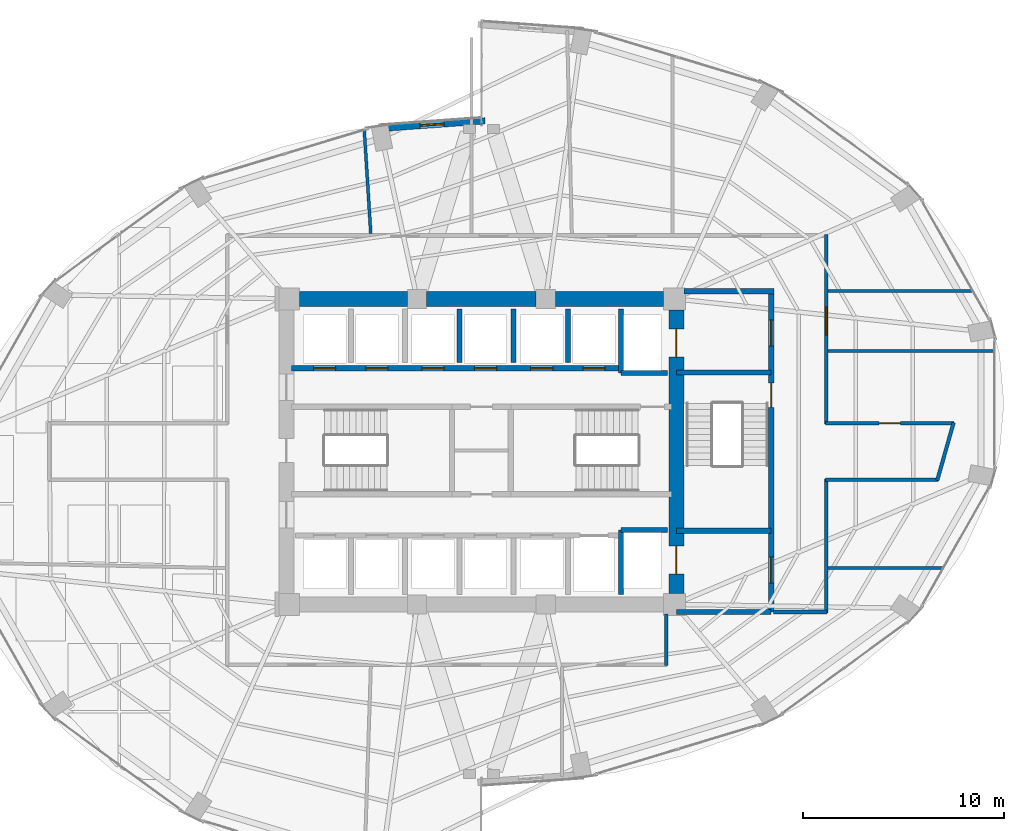
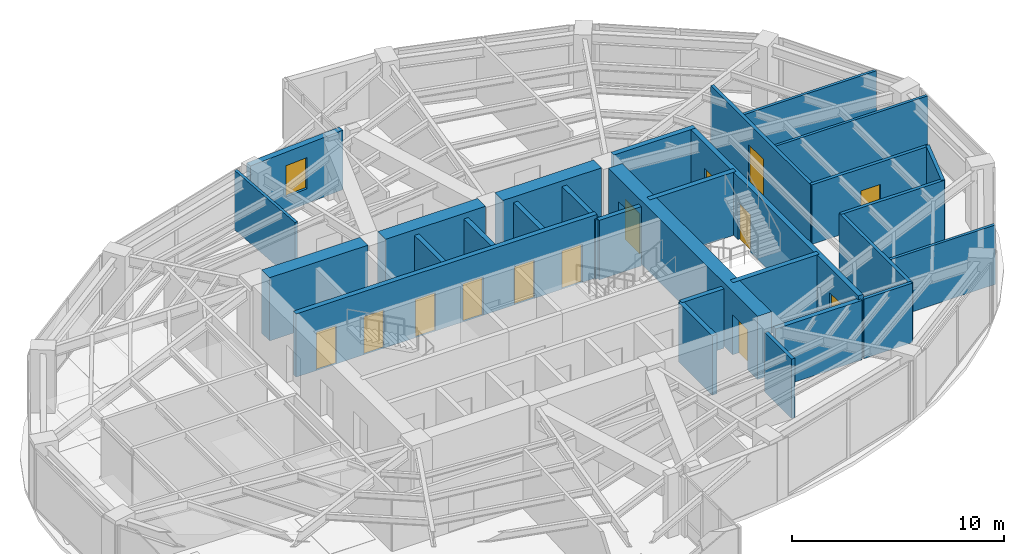
# One storey, part 21 of 24: 29 walls, 13 doors, 1 window, 14 openings.
"""IFC4 building model written with IfcOpenShell, lengths in metres."""

from ifc_helpers import new_model, si_unit, direction, frame, frame_2d, origin, place, context, subcontext, project, spatial, rectangle, extrude, material, layer, layer_set, type_object, element, fill, save


model = new_model("IFC4")

# Units and contexts
model_context = context("Model", 3, precision=1e-05, world=origin(), true_north=direction((0.0, 1.0)))
body_context = subcontext(model_context, "Body", "Model", "MODEL_VIEW")
ifc_project = project(units=[si_unit("LENGTHUNIT", "METRE"), si_unit("AREAUNIT", "SQUARE_METRE"), si_unit("VOLUMEUNIT", "CUBIC_METRE"), si_unit("PLANEANGLEUNIT", "RADIAN"), si_unit("MASSUNIT", "GRAM", prefix="KILO")], contexts=[model_context])

# Site, building, storey
site_placement = place(None, origin())
site = spatial("IfcSite", under=ifc_project, at=site_placement, CompositionType="ELEMENT")
building_placement = place(site_placement, origin())
building = spatial("IfcBuilding", under=site, at=building_placement, Name="Lazwardi Medical Tower", CompositionType="ELEMENT")
storey_placement = place(building_placement, frame((0.0, 0.0, 103.632080078125)))
storey = spatial("IfcBuildingStorey", under=building, at=storey_placement, Name="L26", CompositionType="ELEMENT", Elevation=103.632080078125)

# Wall, opening, door
ifc_material_1 = material(Name="Fire-rated gypsum board on steel stud", Category="steel")
ifc_layer_1 = layer(ifc_material_1, 0.179931640625)
ifc_layer_set_1 = layer_set([ifc_layer_1], Name="Fire-rated gypsum board on steel stud")
wall_type_1 = type_object("IfcWallType", Name="WL-COR-180", PredefinedType="PARTITIONING", material=ifc_layer_set_1)
wall_1_placement = place(storey_placement, frame((53.14990234375, 38.7900390625, 0.0), z_axis=(0.0, 0.0, 1.0), x_axis=(0.0, -1.0, 0.0)))
wall_1 = element("IfcWall", 1, at=wall_1_placement, inside=storey, type_object=wall_type_1, Name="L26 Corridor partition 5", PredefinedType="PARTITIONING", context=body_context, shape_type="SweptSolid", body=[
    extrude(rectangle(XDim=9.429931640625, YDim=0.179931640625, at=frame_2d((4.71484375, 0.0))), origin(), (0.0, 0.0, 1.0), 3.427978515625),
])
opening_1_placement = place(wall_1_placement, frame((3.590087890625, 0.0, 0.0)))
opening_1 = element("IfcOpeningElement", 2, at=opening_1_placement, cuts=wall_1, Name="Opening D-L26-011", PredefinedType="OPENING", context=body_context, shape_type="SweptSolid", body=[
    extrude(rectangle(XDim=1.39990234375, YDim=2.199951171875, at=frame_2d((0.699951171875, 1.10009765625))), frame((0.0, 0.099853515625, 0.0), z_axis=(0.0, -1.0, 0.0), x_axis=(1.0, 0.0, 0.0)), (0.0, 0.0, 1.0), 0.199951171875),
])
ifc_material_2 = material(Name="Anti-microbial laminate hospital leaf")
door_type_1 = type_object("IfcDoorType", Name="DR-BED-1400", OperationType="NOTDEFINED", PredefinedType="DOOR", material=ifc_material_2)
door_1_placement = place(opening_1_placement, origin())
door_1 = element("IfcDoor", 3, at=door_1_placement, inside=storey, type_object=door_type_1, Name="L26 Patient Day Lounge Door 05", OperationType="SINGLE_SWING_LEFT", OverallHeight=2.199951171875, OverallWidth=1.39990234375, PredefinedType="DOOR", context=body_context, shape_type="SweptSolid", body=[
    extrude(rectangle(XDim=1.39990234375, YDim=2.199951171875, at=frame_2d((0.699951171875, 1.10009765625))), frame((0.0, 0.02490234375, 0.0), z_axis=(0.0, -1.0, 0.0), x_axis=(1.0, 0.0, 0.0)), (0.0, 0.0, 1.0), 0.050048828125),
])
fill(opening_1, door_1)

wall_2_placement = place(storey_placement, frame((53.110107421875, 29.39990234375, 0.0), z_axis=(0.0, 0.0, 1.0), x_axis=(1.0, 0.0, 0.0)))
wall_2 = element("IfcWall", 4, at=wall_2_placement, inside=storey, type_object=wall_type_1, Name="L26 Corridor partition 6", PredefinedType="PARTITIONING", context=body_context, shape_type="SweptSolid", body=[
    extrude(rectangle(XDim=6.41259765625, YDim=0.179931640625, at=frame_2d((3.206298828125, 0.0))), origin(), (0.0, 0.0, 1.0), 3.427978515625),
])
opening_2_placement = place(wall_2_placement, frame((2.681396484375, 0.0, 0.0)))
opening_2 = element("IfcOpeningElement", 5, at=opening_2_placement, cuts=wall_2, Name="Opening D-L26-010", PredefinedType="OPENING", context=body_context, shape_type="SweptSolid", body=[
    extrude(rectangle(XDim=1.050048828125, YDim=2.14990234375, at=frame_2d((0.52490234375, 1.074951171875))), frame((0.0, 0.099853515625, 0.0), z_axis=(0.0, -1.0, 0.0), x_axis=(1.0, 0.0, 0.0)), (0.0, 0.0, 1.0), 0.199951171875),
])
door_type_2 = type_object("IfcDoorType", Name="DR-CLN-1050", OperationType="NOTDEFINED", PredefinedType="DOOR", material=ifc_material_2)
door_2_placement = place(opening_2_placement, origin())
door_2 = element("IfcDoor", 6, at=door_2_placement, inside=storey, type_object=door_type_2, Name="L26 Outpatient Clinic Door 04", OperationType="SINGLE_SWING_RIGHT", OverallHeight=2.14990234375, OverallWidth=1.050048828125, PredefinedType="DOOR", context=body_context, shape_type="SweptSolid", body=[
    extrude(rectangle(XDim=1.050048828125, YDim=2.14990234375, at=frame_2d((0.52490234375, 1.074951171875))), frame((0.0, 0.02490234375, 0.0), z_axis=(0.0, -1.0, 0.0), x_axis=(1.0, 0.0, 0.0)), (0.0, 0.0, 1.0), 0.050048828125),
])
fill(opening_2, door_2)

# Walls
wall_3_placement = place(storey_placement, frame((59.49365234375, 29.4384765625, 0.0), z_axis=(0.0, 0.0, 1.0), x_axis=(-0.273222154729, -0.961950962453, 0.0)))
element("IfcWall", 7, at=wall_3_placement, inside=storey, type_object=wall_type_1, Name="L26 Corridor partition 7", PredefinedType="PARTITIONING", context=body_context, shape_type="SweptSolid", body=[
    extrude(rectangle(XDim=2.99072265625, YDim=0.179931640625, at=frame_2d((1.495361328125, 0.0))), origin(), (0.0, 0.0, 1.0), 3.427978515625),
])
wall_4_placement = place(storey_placement, frame((58.727294921875, 26.60009765625, 0.0), z_axis=(0.0, 0.0, 1.0), x_axis=(-1.0, 0.0, 0.0)))
element("IfcWall", 8, at=wall_4_placement, inside=storey, type_object=wall_type_1, Name="L26 Corridor partition 8", PredefinedType="PARTITIONING", context=body_context, shape_type="SweptSolid", body=[
    extrude(rectangle(XDim=5.6171875, YDim=0.179931640625, at=frame_2d((2.80859375, 0.0))), origin(), (0.0, 0.0, 1.0), 3.427978515625),
])
wall_5_placement = place(storey_placement, frame((53.14990234375, 26.639892578125, 0.0), z_axis=(0.0, 0.0, 1.0), x_axis=(0.0, -1.0, 0.0)))
element("IfcWall", 9, at=wall_5_placement, inside=storey, type_object=wall_type_1, Name="L26 Corridor partition 9", PredefinedType="PARTITIONING", context=body_context, shape_type="SweptSolid", body=[
    extrude(rectangle(XDim=6.659912109375, YDim=0.179931640625, at=frame_2d((3.330078125, 0.0))), origin(), (0.0, 0.0, 1.0), 3.427978515625),
])
wall_6_placement = place(storey_placement, frame((53.18994140625, 20.02001953125, 0.0), z_axis=(0.0, 0.0, 1.0), x_axis=(-1.0, 0.0, 0.0)))
element("IfcWall", 10, at=wall_6_placement, inside=storey, type_object=wall_type_1, Name="L26 Corridor partition 10", PredefinedType="PARTITIONING", context=body_context, shape_type="SweptSolid", body=[
    extrude(rectangle(XDim=2.64990234375, YDim=0.179931640625, at=frame_2d((1.324951171875, 0.0))), origin(), (0.0, 0.0, 1.0), 3.427978515625),
])
wall_7_placement = place(storey_placement, frame((45.199951171875, 19.909912109375, 0.0), z_axis=(0.0, 0.0, 1.0), x_axis=(0.0, -1.0, 0.0)))
element("IfcWall", 11, at=wall_7_placement, inside=storey, type_object=wall_type_1, Name="L26 Corridor partition 13", PredefinedType="PARTITIONING", context=body_context, shape_type="SweptSolid", body=[
    extrude(rectangle(XDim=2.5498046875, YDim=0.179931640625, at=frame_2d((1.27490234375, 0.0))), origin(), (0.0, 0.0, 1.0), 3.427978515625),
])

# Wall, openings, doors
ifc_material_3 = material(Name="Concrete C70/85", Category="concrete")
ifc_layer_2 = layer(ifc_material_3, 0.75)
ifc_layer_set_2 = layer_set([ifc_layer_2], Name="Concrete C70/85")
wall_type_2 = type_object("IfcWallType", Name="WL-CORE-750", PredefinedType="SHEAR", material=ifc_layer_set_2)
wall_8_placement = place(storey_placement, frame((45.699951171875, 20.949951171875, 0.0), z_axis=(0.0, 0.0, 1.0), x_axis=(0.0, 1.0, 0.0)))
wall_8 = element("IfcWall", 12, at=wall_8_placement, inside=storey, type_object=wall_type_2, Name="Core wall CW-S2 east L26", PredefinedType="SHEAR", context=body_context, shape_type="SweptSolid", body=[
    extrude(rectangle(XDim=14.10009765625, YDim=0.75, at=frame_2d((7.050048828125, 0.0))), origin(), (0.0, 0.0, 1.0), 3.64794921875),
])
opening_3_placement = place(wall_8_placement, frame((11.75, 0.0, 0.0)))
opening_3 = element("IfcOpeningElement", 13, at=opening_3_placement, cuts=wall_8, Name="Opening LD-L26-001", PredefinedType="OPENING", context=body_context, shape_type="SweptSolid", body=[
    extrude(rectangle(XDim=1.39990234375, YDim=2.300048828125, at=frame_2d((0.699951171875, 1.14990234375))), frame((0.0, 0.385009765625, 0.0), z_axis=(0.0, -1.0, 0.0), x_axis=(1.0, 0.0, 0.0)), (0.0, 0.0, 1.0), 0.77001953125),
])
opening_4_placement = place(wall_8_placement, frame((0.949951171875, 0.0, 0.0)))
opening_4 = element("IfcOpeningElement", 14, at=opening_4_placement, cuts=wall_8, Name="Opening LD-L26-002", PredefinedType="OPENING", context=body_context, shape_type="SweptSolid", body=[
    extrude(rectangle(XDim=1.39990234375, YDim=2.300048828125, at=frame_2d((0.699951171875, 1.14990234375))), frame((0.0, 0.385009765625, 0.0), z_axis=(0.0, -1.0, 0.0), x_axis=(1.0, 0.0, 0.0)), (0.0, 0.0, 1.0), 0.77001953125),
])
ifc_material_4 = material(Name="Brushed stainless steel bed-lift landing door", Category="steel")
door_type_3 = type_object("IfcDoorType", Name="DR-LFT-1400", OperationType="NOTDEFINED", PredefinedType="DOOR", material=ifc_material_4)
door_3_placement = place(opening_3_placement, origin())
door_3 = element("IfcDoor", 15, at=door_3_placement, inside=storey, type_object=door_type_3, Name="L26 Lift Landing Door FL-01", OperationType="SLIDING_TO_LEFT", OverallHeight=2.300048828125, OverallWidth=1.39990234375, PredefinedType="DOOR", context=body_context, shape_type="SweptSolid", body=[
    extrude(rectangle(XDim=1.39990234375, YDim=2.300048828125, at=frame_2d((0.699951171875, 1.14990234375))), frame((0.0, 0.02490234375, 0.0), z_axis=(0.0, -1.0, 0.0), x_axis=(1.0, 0.0, 0.0)), (0.0, 0.0, 1.0), 0.050048828125),
])
fill(opening_3, door_3)
door_4_placement = place(opening_4_placement, origin())
door_4 = element("IfcDoor", 16, at=door_4_placement, inside=storey, type_object=door_type_3, Name="L26 Lift Landing Door FL-02", OperationType="SLIDING_TO_LEFT", OverallHeight=2.300048828125, OverallWidth=1.39990234375, PredefinedType="DOOR", context=body_context, shape_type="SweptSolid", body=[
    extrude(rectangle(XDim=1.39990234375, YDim=2.300048828125, at=frame_2d((0.699951171875, 1.14990234375))), frame((0.0, 0.02490234375, 0.0), z_axis=(0.0, -1.0, 0.0), x_axis=(1.0, 0.0, 0.0)), (0.0, 0.0, 1.0), 0.050048828125),
])
fill(opening_4, door_4)

# Walls
wall_9_placement = place(storey_placement, frame((26.949951171875, 35.60009765625, 0.0), z_axis=(0.0, 0.0, 1.0), x_axis=(1.0, 0.0, 0.0)))
element("IfcWall", 17, at=wall_9_placement, inside=storey, type_object=wall_type_2, Name="Core wall CW-S2 N1 L26", PredefinedType="SHEAR", context=body_context, shape_type="SweptSolid", body=[
    extrude(rectangle(XDim=5.375, YDim=0.75, at=frame_2d((2.6875, 0.0))), origin(), (0.0, 0.0, 1.0), 3.64794921875),
])
wall_10_placement = place(storey_placement, frame((33.27490234375, 35.60009765625, 0.0), z_axis=(0.0, 0.0, 1.0), x_axis=(1.0, 0.0, 0.0)))
element("IfcWall", 18, at=wall_10_placement, inside=storey, type_object=wall_type_2, Name="Core wall CW-S2 N2 L26", PredefinedType="SHEAR", context=body_context, shape_type="SweptSolid", body=[
    extrude(rectangle(XDim=5.4501953125, YDim=0.75, at=frame_2d((2.72509765625, 0.0))), origin(), (0.0, 0.0, 1.0), 3.64794921875),
])
wall_11_placement = place(storey_placement, frame((39.675048828125, 35.60009765625, 0.0), z_axis=(0.0, 0.0, 1.0), x_axis=(1.0, 0.0, 0.0)))
element("IfcWall", 19, at=wall_11_placement, inside=storey, type_object=wall_type_2, Name="Core wall CW-S2 N3 L26", PredefinedType="SHEAR", context=body_context, shape_type="SweptSolid", body=[
    extrude(rectangle(XDim=5.375, YDim=0.75, at=frame_2d((2.6875, 0.0))), origin(), (0.0, 0.0, 1.0), 3.64794921875),
])

# Wall, opening, window
ifc_material_5 = material(Name="Precast concrete C45/55", Category="concrete")
ifc_layer_3 = layer(ifc_material_5, 0.320068359375)
ifc_layer_set_3 = layer_set([ifc_layer_3], Name="Precast concrete C45/55")
wall_type_3 = type_object("IfcWallType", Name="WL-IWAN-320", PredefinedType="SOLIDWALL", material=ifc_layer_set_3)
wall_12_placement = place(storey_placement, frame((36.178955078125, 44.452880859375, 0.0), z_axis=(0.0, 0.0, 1.0), x_axis=(-0.997431890304, -0.071621394884, 0.0)))
wall_12 = element("IfcWall", 20, at=wall_12_placement, inside=storey, type_object=wall_type_3, Name="L26 Iwan Portal Return Wall NW_ret", PredefinedType="SOLIDWALL", context=body_context, shape_type="SweptSolid", body=[
    extrude(rectangle(XDim=5.28369140625, YDim=0.320068359375, at=frame_2d((2.641845703125, 0.0))), origin(), (0.0, 0.0, 1.0), 3.427978515625),
])
opening_5_placement = place(wall_12_placement, frame((2.041748046875, 0.0, 0.85009765625)))
opening_5 = element("IfcOpeningElement", 21, at=opening_5_placement, cuts=wall_12, Name="Opening WN-04", PredefinedType="OPENING", context=body_context, shape_type="SweptSolid", body=[
    extrude(rectangle(XDim=1.199951171875, YDim=1.800048828125, at=frame_2d((0.60009765625, 0.89990234375))), frame((0.0, 0.169921875, 0.0), z_axis=(0.0, -1.0, 0.0), x_axis=(1.0, 0.0, 0.0)), (0.0, 0.0, 1.0), 0.340087890625),
])
ifc_material_6 = material(Name="Low-e bronze solar control double glazing", Category="glass")
window_type = type_object("IfcWindowType", Name="WIN-DRUM-1200", PartitioningType="SINGLE_PANEL", PredefinedType="WINDOW", material=ifc_material_6)
window_placement = place(opening_5_placement, origin())
window = element("IfcWindow", 22, at=window_placement, inside=storey, type_object=window_type, Name="L26 Iwan Slot Window NW_ret", OverallHeight=1.800048828125, OverallWidth=1.199951171875, PartitioningType="SINGLE_PANEL", PredefinedType="WINDOW", context=body_context, shape_type="SweptSolid", body=[
    extrude(rectangle(XDim=1.199951171875, YDim=1.800048828125, at=frame_2d((0.60009765625, 0.89990234375))), frame((0.0, 0.030029296875, 0.0), z_axis=(0.0, -1.0, 0.0), x_axis=(1.0, 0.0, 0.0)), (0.0, 0.0, 1.0), 0.06005859375),
])
fill(opening_5, window)

# Walls
ifc_material_7 = material(Name="Autoclaved aerated concrete blockwork", Category="masonry")
ifc_layer_4 = layer(ifc_material_7, 0.25)
ifc_layer_set_4 = layer_set([ifc_layer_4], Name="Autoclaved aerated concrete blockwork")
wall_type_4 = type_object("IfcWallType", Name="WL-SHAFT-250", PredefinedType="SOLIDWALL", material=ifc_layer_set_4)
wall_13_placement = place(storey_placement, frame((42.949951171875, 31.919921875, 0.0), z_axis=(0.0, 0.0, 1.0), x_axis=(0.0, 1.0, 0.0)))
element("IfcWall", 23, at=wall_13_placement, inside=storey, type_object=wall_type_4, Name="L26 FL-01 West shaft wall", PredefinedType="SOLIDWALL", context=body_context, shape_type="SweptSolid", body=[
    extrude(rectangle(XDim=3.18017578125, YDim=0.25, at=frame_2d((1.590087890625, 0.0))), origin(), (0.0, 0.0, 1.0), 3.427978515625),
])
wall_14_placement = place(storey_placement, frame((42.949951171875, 31.919921875, 0.0), z_axis=(0.0, 0.0, 1.0), x_axis=(1.0, 0.0, 0.0)))
element("IfcWall", 24, at=wall_14_placement, inside=storey, type_object=wall_type_4, Name="L26 FL-01 South shaft wall", PredefinedType="SOLIDWALL", context=body_context, shape_type="SweptSolid", body=[
    extrude(rectangle(XDim=2.300048828125, YDim=0.25, at=frame_2d((1.14990234375, 0.0))), origin(), (0.0, 0.0, 1.0), 3.427978515625),
])
wall_15_placement = place(storey_placement, frame((42.949951171875, 20.89990234375, 0.0), z_axis=(0.0, 0.0, 1.0), x_axis=(0.0, 1.0, 0.0)))
element("IfcWall", 25, at=wall_15_placement, inside=storey, type_object=wall_type_4, Name="L26 FL-02 West shaft wall", PredefinedType="SOLIDWALL", context=body_context, shape_type="SweptSolid", body=[
    extrude(rectangle(XDim=3.2001953125, YDim=0.25, at=frame_2d((1.60009765625, 0.0))), origin(), (0.0, 0.0, 1.0), 3.427978515625),
])
wall_16_placement = place(storey_placement, frame((42.949951171875, 24.10009765625, 0.0), z_axis=(0.0, 0.0, 1.0), x_axis=(1.0, 0.0, 0.0)))
element("IfcWall", 26, at=wall_16_placement, inside=storey, type_object=wall_type_4, Name="L26 FL-02 North shaft wall", PredefinedType="SOLIDWALL", context=body_context, shape_type="SweptSolid", body=[
    extrude(rectangle(XDim=2.300048828125, YDim=0.25, at=frame_2d((1.14990234375, 0.0))), origin(), (0.0, 0.0, 1.0), 3.427978515625),
])
for number, where, z_axis, x_axis, name in (
    (27, (34.89990234375, 32.419921875, 0.0), (0.0, 0.0, 1.0), (0.0, 1.0, 0.0), "L26 North hoistway divider"),
    (28, (37.60009765625, 32.419921875, 0.0), (0.0, 0.0, 1.0), (0.0, 1.0, 0.0), "L26 North hoistway divider"),
    (29, (40.300048828125, 32.419921875, 0.0), (0.0, 0.0, 1.0), (0.0, 1.0, 0.0), "L26 North hoistway divider"),
):
    element("IfcWall", number, at=place(storey_placement, frame(where, z_axis=z_axis, x_axis=x_axis)), inside=storey, type_object=wall_type_4, Name=name, PredefinedType="SOLIDWALL", context=body_context, shape_type="SweptSolid", body=[
        extrude(rectangle(XDim=2.68017578125, YDim=0.25, at=frame_2d((1.340087890625, 0.0))), origin(), (0.0, 0.0, 1.0), 3.427978515625),
    ])
wall_17_placement = place(storey_placement, frame((45.699951171875, 20.02001953125, 0.0), z_axis=(0.0, 0.0, 1.0), x_axis=(1.0, 0.0, 0.0)))
element("IfcWall", 30, at=wall_17_placement, inside=storey, type_object=wall_type_4, Name="L26 FFL-S South wall", PredefinedType="SOLIDWALL", context=body_context, shape_type="SweptSolid", body=[
    extrude(rectangle(XDim=4.715087890625, YDim=0.25, at=frame_2d((2.357421875, 0.0))), origin(), (0.0, 0.0, 1.0), 3.427978515625),
])

# Wall, openings, doors
ifc_material_8 = material(Name="Concrete C50/60", Category="concrete")
ifc_layer_5 = layer(ifc_material_8, 0.27001953125)
ifc_layer_set_5 = layer_set([ifc_layer_5], Name="Concrete C50/60")
wall_type_5 = type_object("IfcWallType", Name="WL-STR-250", PredefinedType="SHEAR", material=ifc_layer_set_5)
wall_18_placement = place(storey_placement, frame((26.550048828125, 32.14990234375, 0.0), z_axis=(0.0, 0.0, 1.0), x_axis=(1.0, 0.0, 0.0)))
wall_18 = element("IfcWall", 31, at=wall_18_placement, inside=storey, type_object=wall_type_5, Name="L26 North lift bank shear wall SW-S1", PredefinedType="SHEAR", context=body_context, shape_type="SweptSolid", body=[
    extrude(rectangle(XDim=16.39990234375, YDim=0.27001953125, at=frame_2d((8.199951171875, 0.0))), origin(), (0.0, 0.0, 1.0), 3.64794921875),
])
opening_6_placement = place(wall_18_placement, frame((1.10009765625, 0.0, 0.0)))
opening_6 = element("IfcOpeningElement", 32, at=opening_6_placement, cuts=wall_18, Name="Opening LD-L26-004", PredefinedType="OPENING", context=body_context, shape_type="SweptSolid", body=[
    extrude(rectangle(XDim=1.10009765625, YDim=2.199951171875, at=frame_2d((0.550048828125, 1.10009765625))), frame((0.0, 0.14501953125, 0.0), z_axis=(0.0, -1.0, 0.0), x_axis=(1.0, 0.0, 0.0)), (0.0, 0.0, 1.0), 0.2900390625),
])
opening_7_placement = place(wall_18_placement, frame((3.699951171875, 0.0, 0.0)))
opening_7 = element("IfcOpeningElement", 33, at=opening_7_placement, cuts=wall_18, Name="Opening LD-L26-005", PredefinedType="OPENING", context=body_context, shape_type="SweptSolid", body=[
    extrude(rectangle(XDim=1.10009765625, YDim=2.199951171875, at=frame_2d((0.550048828125, 1.10009765625))), frame((0.0, 0.14501953125, 0.0), z_axis=(0.0, -1.0, 0.0), x_axis=(1.0, 0.0, 0.0)), (0.0, 0.0, 1.0), 0.2900390625),
])
opening_8_placement = place(wall_18_placement, frame((6.5, 0.0, 0.0)))
opening_8 = element("IfcOpeningElement", 34, at=opening_8_placement, cuts=wall_18, Name="Opening LD-L26-008", PredefinedType="OPENING", context=body_context, shape_type="SweptSolid", body=[
    extrude(rectangle(XDim=1.10009765625, YDim=2.199951171875, at=frame_2d((0.550048828125, 1.10009765625))), frame((0.0, 0.14501953125, 0.0), z_axis=(0.0, -1.0, 0.0), x_axis=(1.0, 0.0, 0.0)), (0.0, 0.0, 1.0), 0.2900390625),
])
opening_9_placement = place(wall_18_placement, frame((9.10009765625, 0.0, 0.0)))
opening_9 = element("IfcOpeningElement", 35, at=opening_9_placement, cuts=wall_18, Name="Opening LD-L26-009", PredefinedType="OPENING", context=body_context, shape_type="SweptSolid", body=[
    extrude(rectangle(XDim=1.10009765625, YDim=2.199951171875, at=frame_2d((0.550048828125, 1.10009765625))), frame((0.0, 0.14501953125, 0.0), z_axis=(0.0, -1.0, 0.0), x_axis=(1.0, 0.0, 0.0)), (0.0, 0.0, 1.0), 0.2900390625),
])
opening_10_placement = place(wall_18_placement, frame((11.89990234375, 0.0, 0.0)))
opening_10 = element("IfcOpeningElement", 36, at=opening_10_placement, cuts=wall_18, Name="Opening LD-L26-012", PredefinedType="OPENING", context=body_context, shape_type="SweptSolid", body=[
    extrude(rectangle(XDim=1.10009765625, YDim=2.199951171875, at=frame_2d((0.550048828125, 1.10009765625))), frame((0.0, 0.14501953125, 0.0), z_axis=(0.0, -1.0, 0.0), x_axis=(1.0, 0.0, 0.0)), (0.0, 0.0, 1.0), 0.2900390625),
])
opening_11_placement = place(wall_18_placement, frame((14.5, 0.0, 0.0)))
opening_11 = element("IfcOpeningElement", 37, at=opening_11_placement, cuts=wall_18, Name="Opening LD-L26-013", PredefinedType="OPENING", context=body_context, shape_type="SweptSolid", body=[
    extrude(rectangle(XDim=1.10009765625, YDim=2.199951171875, at=frame_2d((0.550048828125, 1.10009765625))), frame((0.0, 0.14501953125, 0.0), z_axis=(0.0, -1.0, 0.0), x_axis=(1.0, 0.0, 0.0)), (0.0, 0.0, 1.0), 0.2900390625),
])
ifc_material_9 = material(Name="Brushed bronze stainless steel landing door", Category="steel")
door_type_4 = type_object("IfcDoorType", Name="DR-LFT-1100", OperationType="NOTDEFINED", PredefinedType="DOOR", material=ifc_material_9)
door_5_placement = place(opening_6_placement, origin())
door_5 = element("IfcDoor", 38, at=door_5_placement, inside=storey, type_object=door_type_4, Name="L26 Lift Landing Door PL-01", OperationType="SLIDING_TO_LEFT", OverallHeight=2.199951171875, OverallWidth=1.10009765625, PredefinedType="DOOR", context=body_context, shape_type="SweptSolid", body=[
    extrude(rectangle(XDim=1.10009765625, YDim=2.199951171875, at=frame_2d((0.550048828125, 1.10009765625))), frame((0.0, 0.02490234375, 0.0), z_axis=(0.0, -1.0, 0.0), x_axis=(1.0, 0.0, 0.0)), (0.0, 0.0, 1.0), 0.050048828125),
])
fill(opening_6, door_5)
door_6_placement = place(opening_7_placement, origin())
door_6 = element("IfcDoor", 39, at=door_6_placement, inside=storey, type_object=door_type_4, Name="L26 Lift Landing Door PL-02", OperationType="SLIDING_TO_LEFT", OverallHeight=2.199951171875, OverallWidth=1.10009765625, PredefinedType="DOOR", context=body_context, shape_type="SweptSolid", body=[
    extrude(rectangle(XDim=1.10009765625, YDim=2.199951171875, at=frame_2d((0.550048828125, 1.10009765625))), frame((0.0, 0.02490234375, 0.0), z_axis=(0.0, -1.0, 0.0), x_axis=(1.0, 0.0, 0.0)), (0.0, 0.0, 1.0), 0.050048828125),
])
fill(opening_7, door_6)
door_7_placement = place(opening_8_placement, origin())
door_7 = element("IfcDoor", 40, at=door_7_placement, inside=storey, type_object=door_type_4, Name="L26 Lift Landing Door PL-05", OperationType="SLIDING_TO_LEFT", OverallHeight=2.199951171875, OverallWidth=1.10009765625, PredefinedType="DOOR", context=body_context, shape_type="SweptSolid", body=[
    extrude(rectangle(XDim=1.10009765625, YDim=2.199951171875, at=frame_2d((0.550048828125, 1.10009765625))), frame((0.0, 0.02490234375, 0.0), z_axis=(0.0, -1.0, 0.0), x_axis=(1.0, 0.0, 0.0)), (0.0, 0.0, 1.0), 0.050048828125),
])
fill(opening_8, door_7)
door_8_placement = place(opening_9_placement, origin())
door_8 = element("IfcDoor", 41, at=door_8_placement, inside=storey, type_object=door_type_4, Name="L26 Lift Landing Door PL-06", OperationType="SLIDING_TO_LEFT", OverallHeight=2.199951171875, OverallWidth=1.10009765625, PredefinedType="DOOR", context=body_context, shape_type="SweptSolid", body=[
    extrude(rectangle(XDim=1.10009765625, YDim=2.199951171875, at=frame_2d((0.550048828125, 1.10009765625))), frame((0.0, 0.02490234375, 0.0), z_axis=(0.0, -1.0, 0.0), x_axis=(1.0, 0.0, 0.0)), (0.0, 0.0, 1.0), 0.050048828125),
])
fill(opening_9, door_8)
door_9_placement = place(opening_10_placement, origin())
door_9 = element("IfcDoor", 42, at=door_9_placement, inside=storey, type_object=door_type_4, Name="L26 Lift Landing Door PL-09", OperationType="SLIDING_TO_LEFT", OverallHeight=2.199951171875, OverallWidth=1.10009765625, PredefinedType="DOOR", context=body_context, shape_type="SweptSolid", body=[
    extrude(rectangle(XDim=1.10009765625, YDim=2.199951171875, at=frame_2d((0.550048828125, 1.10009765625))), frame((0.0, 0.02490234375, 0.0), z_axis=(0.0, -1.0, 0.0), x_axis=(1.0, 0.0, 0.0)), (0.0, 0.0, 1.0), 0.050048828125),
])
fill(opening_10, door_9)
door_10_placement = place(opening_11_placement, origin())
door_10 = element("IfcDoor", 43, at=door_10_placement, inside=storey, type_object=door_type_4, Name="L26 Lift Landing Door PL-10", OperationType="SLIDING_TO_LEFT", OverallHeight=2.199951171875, OverallWidth=1.10009765625, PredefinedType="DOOR", context=body_context, shape_type="SweptSolid", body=[
    extrude(rectangle(XDim=1.10009765625, YDim=2.199951171875, at=frame_2d((0.550048828125, 1.10009765625))), frame((0.0, 0.02490234375, 0.0), z_axis=(0.0, -1.0, 0.0), x_axis=(1.0, 0.0, 0.0)), (0.0, 0.0, 1.0), 0.050048828125),
])
fill(opening_11, door_10)

wall_19_placement = place(storey_placement, frame((50.4150390625, 35.844970703125, 0.0), z_axis=(0.0, 0.0, 1.0), x_axis=(0.0, -1.0, 0.0)))
wall_19 = element("IfcWall", 44, at=wall_19_placement, inside=storey, type_object=wall_type_5, Name="L26 East ST3 & FFL shear wall SW-S1", PredefinedType="SHEAR", context=body_context, shape_type="SweptSolid", body=[
    extrude(rectangle(XDim=15.824951171875, YDim=0.27001953125, at=frame_2d((7.91259765625, 0.0))), origin(), (0.0, 0.0, 1.0), 3.64794921875),
])
opening_12_placement = place(wall_19_placement, frame((4.445068359375, 0.0, 0.0)))
opening_12 = element("IfcOpeningElement", 45, at=opening_12_placement, cuts=wall_19, Name="Opening D-L26-019", PredefinedType="OPENING", context=body_context, shape_type="SweptSolid", body=[
    extrude(rectangle(XDim=1.199951171875, YDim=2.14990234375, at=frame_2d((0.60009765625, 1.074951171875))), frame((0.0, 0.14501953125, 0.0), z_axis=(0.0, -1.0, 0.0), x_axis=(1.0, 0.0, 0.0)), (0.0, 0.0, 1.0), 0.2900390625),
])
opening_13_placement = place(wall_19_placement, frame((1.294921875, 0.0, 0.0)))
opening_13 = element("IfcOpeningElement", 46, at=opening_13_placement, cuts=wall_19, Name="Opening D-L26-003", PredefinedType="OPENING", context=body_context, shape_type="SweptSolid", body=[
    extrude(rectangle(XDim=1.300048828125, YDim=2.199951171875, at=frame_2d((0.64990234375, 1.10009765625))), frame((0.0, 0.14501953125, 0.0), z_axis=(0.0, -1.0, 0.0), x_axis=(1.0, 0.0, 0.0)), (0.0, 0.0, 1.0), 0.2900390625),
])
opening_14_placement = place(wall_19_placement, frame((13.094970703125, 0.0, 0.0)))
opening_14 = element("IfcOpeningElement", 47, at=opening_14_placement, cuts=wall_19, Name="Opening D-L26-004", PredefinedType="OPENING", context=body_context, shape_type="SweptSolid", body=[
    extrude(rectangle(XDim=1.300048828125, YDim=2.199951171875, at=frame_2d((0.64990234375, 1.10009765625))), frame((0.0, 0.14501953125, 0.0), z_axis=(0.0, -1.0, 0.0), x_axis=(1.0, 0.0, 0.0)), (0.0, 0.0, 1.0), 0.2900390625),
])
ifc_material_10 = material(Name="Fire-rated steel leaf and frame", Category="steel")
door_type_5 = type_object("IfcDoorType", Name="DR-FFL-1300", OperationType="NOTDEFINED", PredefinedType="DOOR", material=ifc_material_10)
door_11_placement = place(opening_13_placement, origin())
door_11 = element("IfcDoor", 48, at=door_11_placement, inside=storey, type_object=door_type_5, Name="L26 Fire-Fighting Lobby North Door", OperationType="SINGLE_SWING_LEFT", OverallHeight=2.199951171875, OverallWidth=1.300048828125, PredefinedType="DOOR", context=body_context, shape_type="SweptSolid", body=[
    extrude(rectangle(XDim=1.300048828125, YDim=2.199951171875, at=frame_2d((0.64990234375, 1.10009765625))), frame((0.0, 0.02490234375, 0.0), z_axis=(0.0, -1.0, 0.0), x_axis=(1.0, 0.0, 0.0)), (0.0, 0.0, 1.0), 0.050048828125),
])
fill(opening_13, door_11)
door_12_placement = place(opening_14_placement, origin())
door_12 = element("IfcDoor", 49, at=door_12_placement, inside=storey, type_object=door_type_5, Name="L26 Fire-Fighting Lobby South Door", OperationType="SINGLE_SWING_RIGHT", OverallHeight=2.199951171875, OverallWidth=1.300048828125, PredefinedType="DOOR", context=body_context, shape_type="SweptSolid", body=[
    extrude(rectangle(XDim=1.300048828125, YDim=2.199951171875, at=frame_2d((0.64990234375, 1.10009765625))), frame((0.0, 0.02490234375, 0.0), z_axis=(0.0, -1.0, 0.0), x_axis=(1.0, 0.0, 0.0)), (0.0, 0.0, 1.0), 0.050048828125),
])
fill(opening_14, door_12)
door_type_6 = type_object("IfcDoorType", Name="DR-STR-1200", OperationType="NOTDEFINED", PredefinedType="DOOR", material=ifc_material_10)
door_13_placement = place(opening_12_placement, origin())
door_13 = element("IfcDoor", 50, at=door_13_placement, inside=storey, type_object=door_type_6, Name="L26 Exit Stair ST3 Door", OperationType="SINGLE_SWING_RIGHT", OverallHeight=2.14990234375, OverallWidth=1.199951171875, PredefinedType="DOOR", context=body_context, shape_type="SweptSolid", body=[
    extrude(rectangle(XDim=1.199951171875, YDim=2.14990234375, at=frame_2d((0.60009765625, 1.074951171875))), frame((0.0, 0.02490234375, 0.0), z_axis=(0.0, -1.0, 0.0), x_axis=(1.0, 0.0, 0.0)), (0.0, 0.0, 1.0), 0.050048828125),
])
fill(opening_12, door_13)

# Walls
wall_20_placement = place(storey_placement, frame((46.074951171875, 35.97998046875, 0.0), z_axis=(0.0, 0.0, 1.0), x_axis=(1.0, 0.0, 0.0)))
element("IfcWall", 51, at=wall_20_placement, inside=storey, type_object=wall_type_5, Name="L26 FFL-N North shear wall SW-S1", PredefinedType="SHEAR", context=body_context, shape_type="SweptSolid", body=[
    extrude(rectangle(XDim=4.47509765625, YDim=0.27001953125, at=frame_2d((2.237548828125, 0.0))), origin(), (0.0, 0.0, 1.0), 3.64794921875),
])
for number, where, z_axis, x_axis, name in (
    (52, (45.699951171875, 31.93505859375, 0.0), (0.0, 0.0, 1.0), (1.0, 0.0, 0.0), "L26 ST3 North shear shaft wall SW-S1"),
    (53, (45.699951171875, 24.06494140625, 0.0), (0.0, 0.0, 1.0), (1.0, 0.0, 0.0), "L26 ST3 South shear shaft wall SW-S1"),
):
    element("IfcWall", number, at=place(storey_placement, frame(where, z_axis=z_axis, x_axis=x_axis)), inside=storey, type_object=wall_type_5, Name=name, PredefinedType="SHEAR", context=body_context, shape_type="SweptSolid", body=[
        extrude(rectangle(XDim=4.715087890625, YDim=0.27001953125, at=frame_2d((2.357421875, 0.0))), origin(), (0.0, 0.0, 1.0), 3.64794921875),
    ])
ifc_material_11 = material(Name="Acoustic gypsum board partition")
ifc_layer_6 = layer(ifc_material_11, 0.14990234375)
ifc_layer_set_6 = layer_set([ifc_layer_6], Name="Acoustic gypsum board partition")
wall_type_6 = type_object("IfcWallType", Name="WL-WRD-150", PredefinedType="PARTITIONING", material=ifc_layer_set_6)
wall_21_placement = place(storey_placement, frame((53.239990234375, 22.199951171875, 0.0), z_axis=(0.0, 0.0, 1.0), x_axis=(1.0, 0.0, 0.0)))
element("IfcWall", 54, at=wall_21_placement, inside=storey, type_object=wall_type_6, Name="L26 Room partition 2", PredefinedType="PARTITIONING", context=body_context, shape_type="SweptSolid", body=[
    extrude(rectangle(XDim=5.731201171875, YDim=0.14990234375, at=frame_2d((2.86572265625, 0.0))), origin(), (0.0, 0.0, 1.0), 3.427978515625),
])
wall_22_placement = place(storey_placement, frame((53.239990234375, 33.0, 0.0), z_axis=(0.0, 0.0, 1.0), x_axis=(1.0, 0.0, 0.0)))
element("IfcWall", 55, at=wall_22_placement, inside=storey, type_object=wall_type_6, Name="L26 Room partition 3", PredefinedType="PARTITIONING", context=body_context, shape_type="SweptSolid", body=[
    extrude(rectangle(XDim=8.27978515625, YDim=0.14990234375, at=frame_2d((4.139892578125, 0.0))), origin(), (0.0, 0.0, 1.0), 3.427978515625),
])
wall_23_placement = place(storey_placement, frame((53.239990234375, 36.0, 0.0), z_axis=(0.0, 0.0, 1.0), x_axis=(1.0, 0.0, 0.0)))
element("IfcWall", 56, at=wall_23_placement, inside=storey, type_object=wall_type_6, Name="L26 Room partition 4", PredefinedType="PARTITIONING", context=body_context, shape_type="SweptSolid", body=[
    extrude(rectangle(XDim=7.20703125, YDim=0.14990234375, at=frame_2d((3.603515625, 0.0))), origin(), (0.0, 0.0, 1.0), 3.427978515625),
])
wall_24_placement = place(storey_placement, frame((30.495361328125, 38.83984375, 0.0), z_axis=(0.0, 0.0, 1.0), x_axis=(-0.062595600558, 0.998038972581, 0.0)))
element("IfcWall", 57, at=wall_24_placement, inside=storey, type_object=wall_type_6, Name="L26 Room partition 5", PredefinedType="PARTITIONING", context=body_context, shape_type="SweptSolid", body=[
    extrude(rectangle(XDim=5.17578125, YDim=0.14990234375, at=frame_2d((2.587890625, 0.0))), origin(), (0.0, 0.0, 1.0), 3.427978515625),
])

save(model, "model.ifc")
